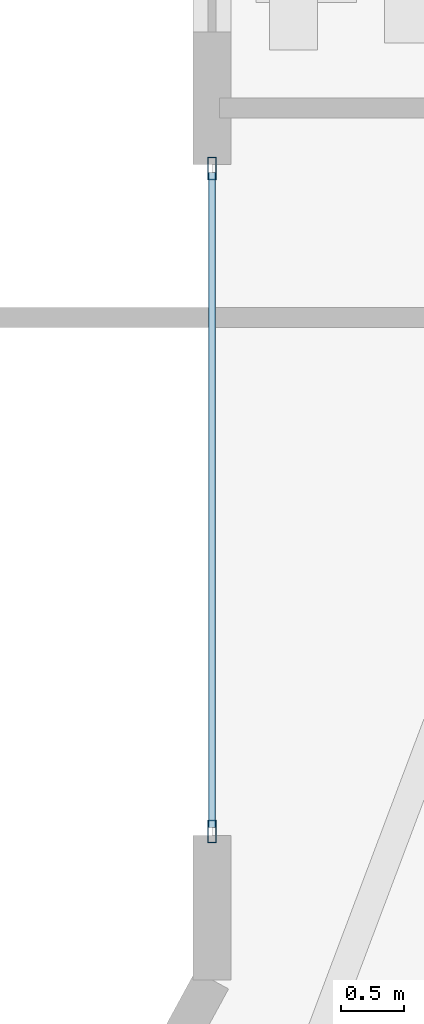
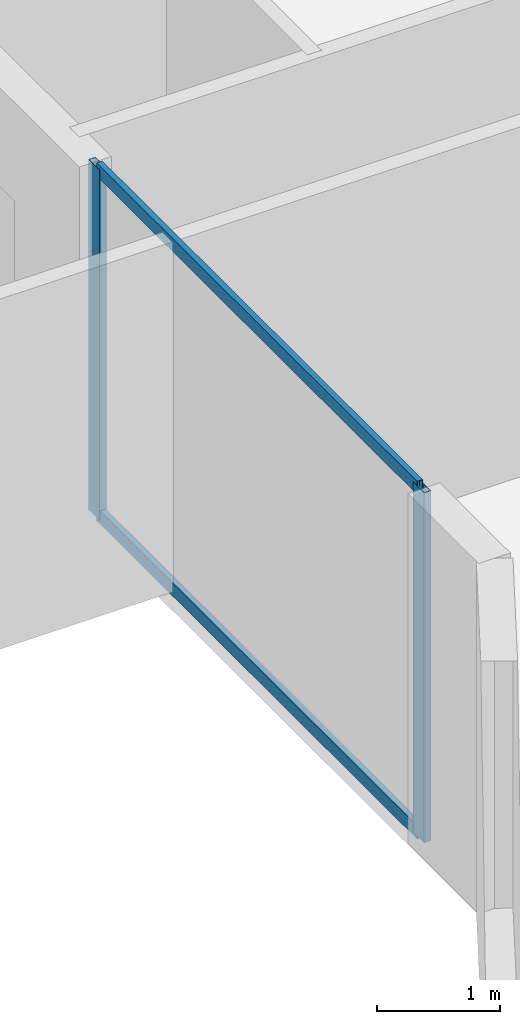
# One storey, part 6 of 25: 4 members, 1 element without a shape of its own.
"""IFC4 building model written with IfcOpenShell, lengths in metres."""

from ifc_helpers import new_model, si_unit, direction, frame, origin, origin_2d, place, context, subcontext, project, spatial, hollow_rectangle, extrude, material, layer, layer_set, material_profile, profile_set, type_object, element, aggregate, save


model = new_model("IFC4")

# Units and contexts
model_context = context("Model", 3, precision=1e-05, world=origin(), true_north=direction((0.0, 1.0)))
body_context = subcontext(model_context, "Body", "Model", "MODEL_VIEW")
ifc_project = project(units=[si_unit("LENGTHUNIT", "METRE"), si_unit("AREAUNIT", "SQUARE_METRE"), si_unit("VOLUMEUNIT", "CUBIC_METRE"), si_unit("PLANEANGLEUNIT", "RADIAN"), si_unit("MASSUNIT", "GRAM", prefix="KILO")], contexts=[model_context])

# Site, building, storey
site_placement = place(None, origin())
site = spatial("IfcSite", under=ifc_project, at=site_placement, CompositionType="ELEMENT")
building_placement = place(site_placement, origin())
building = spatial("IfcBuilding", under=site, at=building_placement, Name="Zuhayl Quay Hotel", CompositionType="ELEMENT")
storey_placement = place(building_placement, frame((0.0, 0.0, 258.14990234375)))
storey = spatial("IfcBuildingStorey", under=building, at=storey_placement, Name="L65", CompositionType="ELEMENT", Elevation=258.14990234375)

# Curtain wall, members
ifc_material_1 = material(Name="Anodised Aluminium 6063-T6", Category="aluminium")
ifc_layer = layer(ifc_material_1, 0.169921875, Name="Anodised Aluminium 6063-T6", Category="aluminium")
ifc_layer_set = layer_set([ifc_layer], Name="Anodised Aluminium 6063-T6")
curtain_wall_type = type_object("IfcCurtainWallType", Name="CW_SYS_Z4", PredefinedType="USERDEFINED", material=ifc_layer_set)
curtain_wall_placement = place(storey_placement, origin())
curtain_wall = element("IfcCurtainWall", 1, at=curtain_wall_placement, inside=storey, type_object=curtain_wall_type, Name="L65 Curtain Wall ENV_L65_E05_CW1", ObjectType="UNITISED CURTAIN WALL", PredefinedType="USERDEFINED")
ifc_material_2 = material(Name="Black-anodised aluminium 6063-T6", Category="aluminium")
ifc_material_profile_1 = material_profile(ifc_material_2, hollow_rectangle(XDim=0.06494140625, YDim=0.179931640625, WallThickness=0.00341796875, at=origin_2d()), Name="ALU180X65")
ifc_profile_set_1 = profile_set([ifc_material_profile_1], Name="Black-anodised aluminium 6063-T6")
member_type_1 = type_object("IfcMemberType", Name="MB_CW_MUL_180", PredefinedType="MULLION", material=ifc_profile_set_1)
member_1_placement = place(storey_placement, frame((-20.199951171875, 25.282470703125, 0.0), z_axis=(0.0, 0.0, 1.0), x_axis=(-1.0, 0.0, 0.0)))
member_1 = element("IfcMember", 2, at=member_1_placement, type_object=member_type_1, Name="CW-Z4 mullion 1", PredefinedType="MULLION", context=body_context, shape_type="SweptSolid", body=[
    extrude(hollow_rectangle(XDim=0.06494140625, YDim=0.179931640625, WallThickness=0.00341796875, at=origin_2d()), origin(), (0.0, 0.0, 1.0), 3.47998046875),
])
member_2_placement = place(storey_placement, frame((-20.199951171875, 30.5673828125, 0.0), z_axis=(0.0, 0.0, 1.0), x_axis=(-1.0, 0.0, 0.0)))
member_2 = element("IfcMember", 3, at=member_2_placement, type_object=member_type_1, Name="CW-Z4 mullion 2", PredefinedType="MULLION", context=body_context, shape_type="SweptSolid", body=[
    extrude(hollow_rectangle(XDim=0.06494140625, YDim=0.179931640625, WallThickness=0.00341796875, at=origin_2d()), origin(), (0.0, 0.0, 1.0), 3.47998046875),
])
ifc_material_profile_2 = material_profile(ifc_material_2, hollow_rectangle(XDim=0.054931640625, YDim=0.1298828125, WallThickness=0.0029296875, at=origin_2d()), Name="ALU130X55")
ifc_profile_set_2 = profile_set([ifc_material_profile_2], Name="Black-anodised aluminium 6063-T6")
member_type_2 = type_object("IfcMemberType", Name="MB_CW_TRN_130", PredefinedType="USERDEFINED", material=ifc_profile_set_2)
member_3_placement = place(storey_placement, frame((-20.199951171875, 25.31494140625, 0.027587890625), z_axis=(0.0, 1.0, 0.0), x_axis=(-1.0, 0.0, 0.0)))
member_3 = element("IfcMember", 4, at=member_3_placement, type_object=member_type_2, Name="CW-Z4 transom 1.1", ObjectType="TRANSOM", PredefinedType="USERDEFINED", context=body_context, shape_type="SweptSolid", body=[
    extrude(hollow_rectangle(XDim=0.054931640625, YDim=0.1298828125, WallThickness=0.0029296875, at=origin_2d()), origin(), (0.0, 0.0, 1.0), 5.219970703125),
])
member_4_placement = place(storey_placement, frame((-20.199951171875, 25.31494140625, 3.45263671875), z_axis=(0.0, 1.0, 0.0), x_axis=(-1.0, 0.0, 0.0)))
member_4 = element("IfcMember", 5, at=member_4_placement, type_object=member_type_2, Name="CW-Z4 transom 1.2", ObjectType="TRANSOM", PredefinedType="USERDEFINED", context=body_context, shape_type="SweptSolid", body=[
    extrude(hollow_rectangle(XDim=0.054931640625, YDim=0.1298828125, WallThickness=0.0029296875, at=origin_2d()), origin(), (0.0, 0.0, 1.0), 5.219970703125),
])
aggregate(curtain_wall, [member_1, member_2, member_3, member_4])

save(model, "model.ifc")
